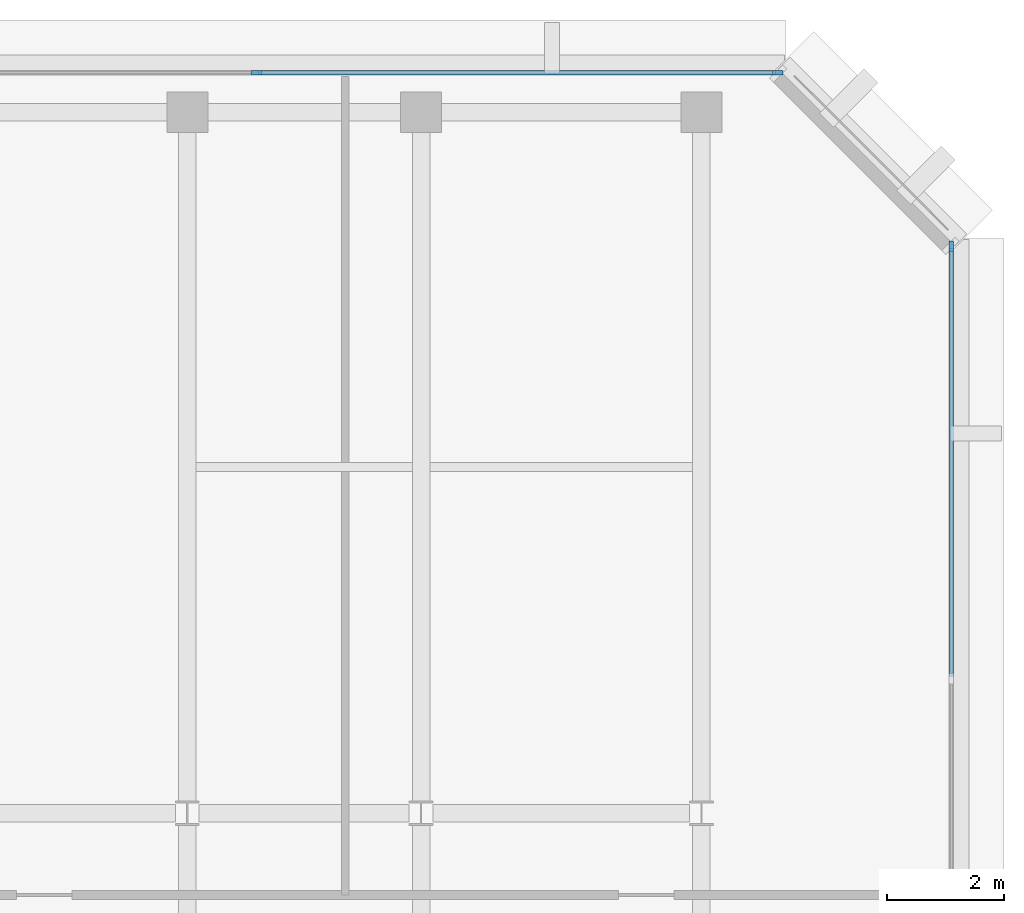
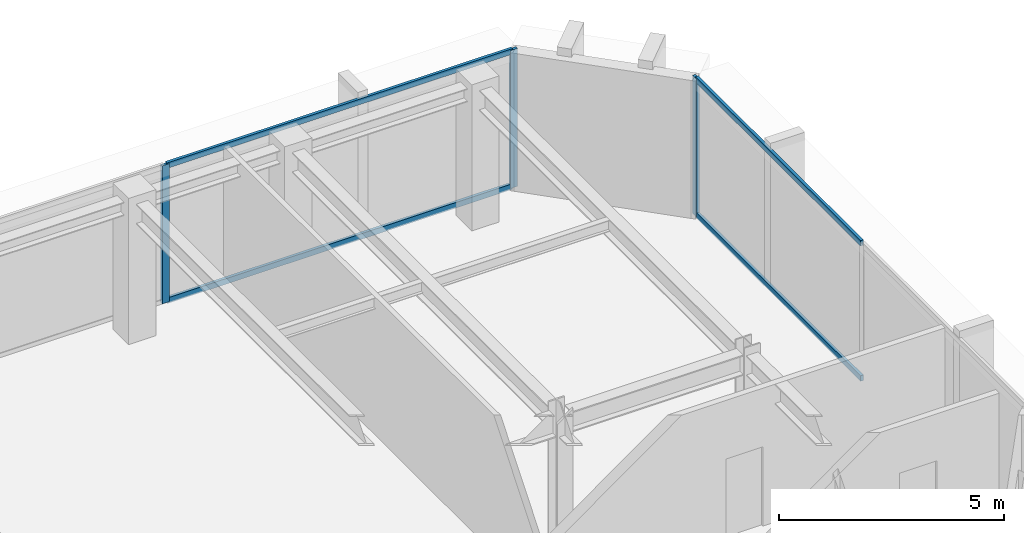
# One storey, part 5 of 11: 7 members, 2 elements without a shape of their own.
"""IFC4 building model written with IfcOpenShell, lengths in metres."""

from ifc_helpers import new_model, si_unit, direction, frame, origin, origin_2d, place, context, subcontext, project, spatial, rectangle, extrude, material, layer, layer_set, material_profile, profile_set, type_object, element, aggregate, save


model = new_model("IFC4")

# Units and contexts
model_context = context("Model", 3, precision=1e-05, world=origin(), true_north=direction((0.0, 1.0)))
body_context = subcontext(model_context, "Body", "Model", "MODEL_VIEW")
ifc_project = project(units=[si_unit("LENGTHUNIT", "METRE"), si_unit("AREAUNIT", "SQUARE_METRE"), si_unit("VOLUMEUNIT", "CUBIC_METRE"), si_unit("PLANEANGLEUNIT", "RADIAN"), si_unit("MASSUNIT", "GRAM", prefix="KILO")], contexts=[model_context])

# Site, building, storey
site_placement = place(None, origin())
site = spatial("IfcSite", under=ifc_project, at=site_placement, CompositionType="ELEMENT")
building_placement = place(site_placement, origin())
building = spatial("IfcBuilding", under=site, at=building_placement, Name="Kefirva Bronze Tower", CompositionType="ELEMENT")
storey_placement = place(building_placement, frame((0.0, 0.0, 284.1298828125)))
storey = spatial("IfcBuildingStorey", under=building, at=storey_placement, Name="L69", CompositionType="ELEMENT", Elevation=284.1298828125)

# Curtain wall, member
ifc_material = material(Name="Bronze anodised aluminium", Category="aluminium")
ifc_layer = layer(ifc_material, 0.179931640625, Name="Bronze anodised aluminium")
ifc_layer_set = layer_set([ifc_layer], Name="Bronze anodised aluminium")
curtain_wall_type = type_object("IfcCurtainWallType", Name="Unitised Bronze Ribbon Curtain Wall Zone 4", PredefinedType="USERDEFINED", material=ifc_layer_set)
curtain_wall_1_placement = place(storey_placement, origin())
curtain_wall_1 = element("IfcCurtainWall", 1, at=curtain_wall_1_placement, inside=storey, type_object=curtain_wall_type, Name="L69 Curtain Wall 3", ObjectType="UNITISED CURTAIN WALL", PredefinedType="USERDEFINED")
ifc_material_profile_1 = material_profile(ifc_material, rectangle(XDim=0.074951171875, YDim=0.179931640625, at=origin_2d()), Name="ALU 75x180")
ifc_profile_set_1 = profile_set([ifc_material_profile_1], Name="Bronze anodised aluminium")
member_type_1 = type_object("IfcMemberType", Name="Bronze Mullion 75x180", PredefinedType="MULLION", material=ifc_profile_set_1)
member_1_placement = place(storey_placement, frame((44.280029296875, 42.907470703125, 0.0), z_axis=(0.0, 0.0, 1.0), x_axis=(-1.0, 0.0, 0.0)))
member_1 = element("IfcMember", 2, at=member_1_placement, type_object=member_type_1, Name="CW-04 mullion 3", PredefinedType="MULLION", context=body_context, shape_type="SweptSolid", body=[
    extrude(rectangle(XDim=0.074951171875, YDim=0.179931640625, at=origin_2d()), origin(), (0.0, 0.0, 1.0), 3.740234375),
])

# Curtain wall, members
curtain_wall_2_placement = place(storey_placement, origin())
curtain_wall_2 = element("IfcCurtainWall", 3, at=curtain_wall_2_placement, inside=storey, type_object=curtain_wall_type, Name="L69 Curtain Wall 4", ObjectType="UNITISED CURTAIN WALL", PredefinedType="USERDEFINED")
member_2_placement = place(storey_placement, frame((41.3076171875, 45.8798828125, 0.0), z_axis=(0.0, 0.0, 1.0), x_axis=(0.0, -1.0, 0.0)))
member_2 = element("IfcMember", 4, at=member_2_placement, type_object=member_type_1, Name="CW-04 mullion 1", PredefinedType="MULLION", context=body_context, shape_type="SweptSolid", body=[
    extrude(rectangle(XDim=0.074951171875, YDim=0.179931640625, at=origin_2d()), origin(), (0.0, 0.0, 1.0), 3.740234375),
])
member_3_placement = place(storey_placement, frame((32.375, 45.8798828125, 0.0), z_axis=(0.0, 0.0, 1.0), x_axis=(0.0, -1.0, 0.0)))
member_3 = element("IfcMember", 5, at=member_3_placement, type_object=member_type_1, Name="CW-04 mullion 2", PredefinedType="MULLION", context=body_context, shape_type="SweptSolid", body=[
    extrude(rectangle(XDim=0.074951171875, YDim=0.179931640625, at=origin_2d()), origin(), (0.0, 0.0, 1.0), 3.740234375),
])

# Member
ifc_material_profile_2 = material_profile(ifc_material, rectangle(XDim=0.074951171875, YDim=0.14990234375, at=origin_2d()), Name="ALU 75x150")
ifc_profile_set_2 = profile_set([ifc_material_profile_2], Name="Bronze anodised aluminium")
member_type_2 = type_object("IfcMemberType", Name="Bronze Transom 75x150", PredefinedType="USERDEFINED", material=ifc_profile_set_2)
member_4_placement = place(storey_placement, frame((44.280029296875, 35.53759765625, 0.03759765625), z_axis=(0.0, 1.0, 0.0), x_axis=(-1.0, 0.0, 0.0)))
member_4 = element("IfcMember", 6, at=member_4_placement, type_object=member_type_2, Name="CW-04 transom 2.1", ObjectType="TRANSOM", PredefinedType="USERDEFINED", context=body_context, shape_type="SweptSolid", body=[
    extrude(rectangle(XDim=0.074951171875, YDim=0.14990234375, at=origin_2d()), origin(), (0.0, 0.0, 1.0), 7.33251953125),
])

member_5_placement = place(storey_placement, frame((44.280029296875, 35.53759765625, 3.70263671875), z_axis=(0.0, 1.0, 0.0), x_axis=(-1.0, 0.0, 0.0)))
member_5 = element("IfcMember", 7, at=member_5_placement, type_object=member_type_2, Name="CW-04 transom 2.2", ObjectType="TRANSOM", PredefinedType="USERDEFINED", context=body_context, shape_type="SweptSolid", body=[
    extrude(rectangle(XDim=0.074951171875, YDim=0.14990234375, at=origin_2d()), origin(), (0.0, 0.0, 1.0), 7.33251953125),
])

aggregate(curtain_wall_1, [member_1, member_4, member_5])

member_6_placement = place(storey_placement, frame((41.27001953125, 45.8798828125, 0.03759765625), z_axis=(-1.0, 0.0, 0.0), x_axis=(0.0, -1.0, 0.0)))
member_6 = element("IfcMember", 8, at=member_6_placement, type_object=member_type_2, Name="CW-04 transom 1.1", ObjectType="TRANSOM", PredefinedType="USERDEFINED", context=body_context, shape_type="SweptSolid", body=[
    extrude(rectangle(XDim=0.074951171875, YDim=0.14990234375, at=origin_2d()), origin(), (0.0, 0.0, 1.0), 8.857421875),
])

member_7_placement = place(storey_placement, frame((41.27001953125, 45.8798828125, 3.70263671875), z_axis=(-1.0, 0.0, 0.0), x_axis=(0.0, -1.0, 0.0)))
member_7 = element("IfcMember", 9, at=member_7_placement, type_object=member_type_2, Name="CW-04 transom 1.2", ObjectType="TRANSOM", PredefinedType="USERDEFINED", context=body_context, shape_type="SweptSolid", body=[
    extrude(rectangle(XDim=0.074951171875, YDim=0.14990234375, at=origin_2d()), origin(), (0.0, 0.0, 1.0), 8.857421875),
])

aggregate(curtain_wall_2, [member_2, member_3, member_6, member_7])

save(model, "model.ifc")
